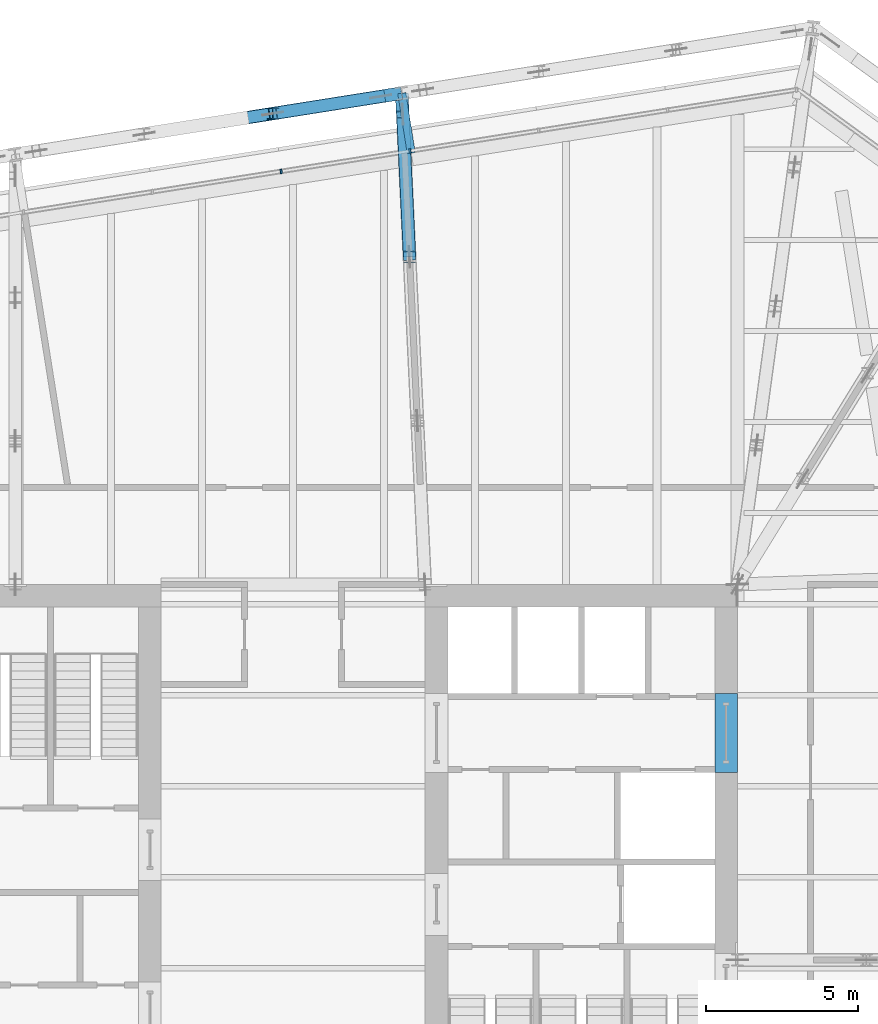
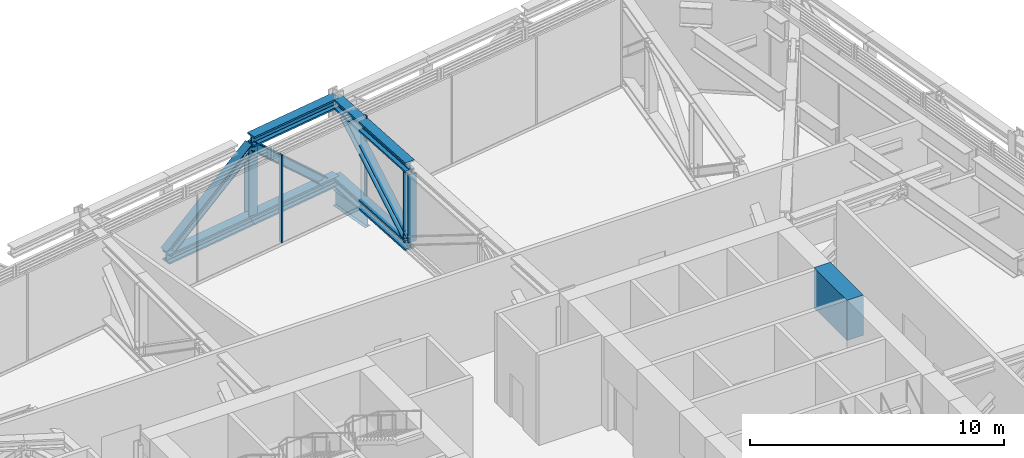
# One storey, part 15 of 31: 7 beams, 7 members, 1 element without a shape of its own.
"""IFC4 building model written with IfcOpenShell, lengths in metres."""

from ifc_helpers import new_model, si_unit, direction, frame, origin, origin_2d, place, context, subcontext, project, spatial, rectangle, i_section, extrude, material, layer, layer_set, material_profile, profile_set, type_object, element, aggregate, save


model = new_model("IFC4")

# Units and contexts
model_context = context("Model", 3, precision=1e-05, world=origin(), true_north=direction((0.0, 1.0)))
body_context = subcontext(model_context, "Body", "Model", "MODEL_VIEW")
ifc_project = project(units=[si_unit("LENGTHUNIT", "METRE"), si_unit("AREAUNIT", "SQUARE_METRE"), si_unit("VOLUMEUNIT", "CUBIC_METRE"), si_unit("PLANEANGLEUNIT", "RADIAN"), si_unit("MASSUNIT", "GRAM", prefix="KILO")], contexts=[model_context])

# Site, building, storey
site_placement = place(None, origin())
site = spatial("IfcSite", under=ifc_project, at=site_placement, CompositionType="ELEMENT")
building_placement = place(site_placement, origin())
building = spatial("IfcBuilding", under=site, at=building_placement, Name="Millrace Tower", CompositionType="ELEMENT")
storey_placement = place(building_placement, frame((0.0, 0.0, 195.60009765625)))
storey = spatial("IfcBuildingStorey", under=building, at=storey_placement, Name="L44", CompositionType="ELEMENT", Elevation=195.60009765625)

# Beams
ifc_material_1 = material(Name="Steel ASTM A992 Grade 50", Category="steel")
ifc_material_profile_1 = material_profile(ifc_material_1, i_section(OverallWidth=0.4267578125, OverallDepth=0.482666015625, WebThickness=0.05126953125, FlangeThickness=0.08154296875, FilletRadius=0.01513671875, at=origin_2d()))
ifc_profile_set_1 = profile_set([ifc_material_profile_1], Name="Steel ASTM A992 Grade 50")
beam_type_1 = type_object("IfcBeamType", Name="Belt truss chord W14x455", PredefinedType="BEAM", material=ifc_profile_set_1)
for number, where, z_axis, x_axis, name in (
    (1, (3.58154296875, 25.844970703125, 0.2412109375), (-0.987690583834, -0.15642030113, 0.0), (0.15642030113, -0.987690583834, 0.0), "BLT-L44-R11-B01"),
    (2, (-0.66552734375, 25.17236328125, 0.2412109375), (-0.987690583834, -0.15642030113, 0.0), (0.15642030113, -0.987690583834, 0.0), "BLT-L44-R11-B02"),
):
    element("IfcBeam", number, at=place(storey_placement, frame(where, z_axis=z_axis, x_axis=x_axis)), inside=storey, type_object=beam_type_1, Name=name, PredefinedType="BEAM", context=body_context, shape_type="SweptSolid", body=[
        extrude(i_section(OverallWidth=0.4267578125, OverallDepth=0.482666015625, WebThickness=0.05126953125, FlangeThickness=0.08154296875, FilletRadius=0.01513671875, at=origin_2d()), origin(), (0.0, 0.0, 1.0), 4.300048828125),
    ])
beam_1_placement = place(storey_placement, frame((3.571533203125, 25.843505859375, 3.99853515625), z_axis=(-0.98768624739, -0.156447680442, 0.0), x_axis=(0.156447680442, -0.98768624739, 0.0)))
element("IfcBeam", 3, at=beam_1_placement, inside=storey, type_object=beam_type_1, Name="BLT-L44-R11-T01", PredefinedType="BEAM", context=body_context, shape_type="SweptSolid", body=[
    extrude(i_section(OverallWidth=0.4267578125, OverallDepth=0.482666015625, WebThickness=0.05126953125, FlangeThickness=0.08154296875, FilletRadius=0.01513671875, at=origin_2d()), origin(), (0.0, 0.0, 1.0), 4.289794921875),
])

# Members
ifc_material_2 = material(Name="Steel ASTM A992 Grade 50", Category="steel")
ifc_material_profile_2 = material_profile(ifc_material_2, i_section(OverallWidth=0.398681640625, OverallDepth=0.393798828125, WebThickness=0.022705078125, FlangeThickness=0.03662109375, FilletRadius=0.01513671875, at=origin_2d()))
ifc_profile_set_2 = profile_set([ifc_material_profile_2], Name="Steel ASTM A992 Grade 50")
member_type_1 = type_object("IfcMemberType", Name="Belt truss diagonal W14x193", PredefinedType="BRACE", material=ifc_profile_set_2)
member_1_placement = place(storey_placement, frame((2.89013671875, 25.735595703125, 0.482421875), z_axis=(-0.730607904471, -0.115731422385, 0.672917771943), x_axis=(0.156453585206, -0.987685312069, 0.0)))
element("IfcMember", 4, at=member_1_placement, inside=storey, type_object=member_type_1, Name="BLT-L44-R11-D01", PredefinedType="BRACE", context=body_context, shape_type="SweptSolid", body=[
    extrude(i_section(OverallWidth=0.398681640625, OverallDepth=0.393798828125, WebThickness=0.022705078125, FlangeThickness=0.03662109375, FilletRadius=0.01513671875, at=origin_2d()), origin(), (0.0, 0.0, 1.0), 4.86669921875),
])
member_2_placement = place(storey_placement, frame((-4.91259765625, 24.499755859375, 0.482421875), z_axis=(0.78575393137, 0.124439645949, 0.605892345102), x_axis=(-0.15642030113, 0.987690583834, 0.0)))
element("IfcMember", 5, at=member_2_placement, inside=storey, type_object=member_type_1, Name="BLT-L44-R11-D02", PredefinedType="BRACE", context=body_context, shape_type="SweptSolid", body=[
    extrude(i_section(OverallWidth=0.398681640625, OverallDepth=0.393798828125, WebThickness=0.022705078125, FlangeThickness=0.03662109375, FilletRadius=0.01513671875, at=origin_2d()), origin(), (0.0, 0.0, 1.0), 5.405029296875),
])
ifc_material_3 = material(Name="Steel ASTM A992 Grade 50", Category="steel")
ifc_material_profile_3 = material_profile(ifc_material_3, i_section(OverallWidth=0.396240234375, OverallDepth=0.381103515625, WebThickness=0.018798828125, FlangeThickness=0.0302734375, FilletRadius=0.01513671875, at=origin_2d()))
ifc_profile_set_3 = profile_set([ifc_material_profile_3], Name="Steel ASTM A992 Grade 50")
member_type_2 = type_object("IfcMemberType", Name="Belt truss post W14x159", PredefinedType="POST", material=ifc_profile_set_3)
member_3_placement = place(storey_placement, frame((-0.66552734375, 25.17236328125, 0.482421875), z_axis=(0.0, 0.0, 1.0), x_axis=(1.0, 0.0, 0.0)))
element("IfcMember", 6, at=member_3_placement, inside=storey, type_object=member_type_2, Name="BLT-L44-R11-V01", PredefinedType="POST", context=body_context, shape_type="SweptSolid", body=[
    extrude(i_section(OverallWidth=0.396240234375, OverallDepth=0.381103515625, WebThickness=0.018798828125, FlangeThickness=0.0302734375, FilletRadius=0.01513671875, at=origin_2d()), origin(), (0.0, 0.0, 1.0), 3.27490234375),
])

# Curtain wall, members
ifc_material_4 = material(Name="Aluminium and glass", Category="aluminium")
ifc_layer = layer(ifc_material_4, 0.14990234375)
ifc_layer_set = layer_set([ifc_layer], Name="Aluminium and glass")
curtain_wall_type = type_object("IfcCurtainWallType", Name="CW-5 truss and plant storey louvred infill", PredefinedType="NOTDEFINED", material=ifc_layer_set)
curtain_wall_placement = place(storey_placement, origin())
curtain_wall = element("IfcCurtainWall", 7, at=curtain_wall_placement, inside=storey, type_object=curtain_wall_type, Name="Curtain wall C-F06 L44", PredefinedType="NOTDEFINED")
ifc_material_5 = material(Name="Aluminium", Category="aluminium")
ifc_material_profile_4 = material_profile(ifc_material_5, rectangle(XDim=0.06494140625, YDim=0.14990234375, at=origin_2d()))
ifc_profile_set_4 = profile_set([ifc_material_profile_4], Name="Aluminium")
member_type_3 = type_object("IfcMemberType", Name="CW-5 truss and plant storey louvred infill mullion", PredefinedType="MULLION", material=ifc_profile_set_4)
member_4_placement = place(storey_placement, frame((3.8505859375, 23.938720703125, 0.139892578125), z_axis=(0.0, 0.0, 1.0), x_axis=(-0.98768833929, -0.15643447328, 0.0)))
member_4 = element("IfcMember", 8, at=member_4_placement, type_object=member_type_3, Name="CW5 mullion C-F06.4", PredefinedType="MULLION", context=body_context, shape_type="SweptSolid", body=[
    extrude(rectangle(XDim=0.06494140625, YDim=0.14990234375, at=origin_2d()), origin(), (0.0, 0.0, 1.0), 4.199951171875),
])
member_5_placement = place(storey_placement, frame((-0.396484375, 23.26611328125, 0.139892578125), z_axis=(0.0, 0.0, 1.0), x_axis=(-0.98768833929, -0.15643447328, 0.0)))
member_5 = element("IfcMember", 9, at=member_5_placement, type_object=member_type_3, Name="CW5 mullion C-F06.5", PredefinedType="MULLION", context=body_context, shape_type="SweptSolid", body=[
    extrude(rectangle(XDim=0.06494140625, YDim=0.14990234375, at=origin_2d()), origin(), (0.0, 0.0, 1.0), 4.199951171875),
])
aggregate(curtain_wall, [member_4, member_5])

# Beams
ifc_material_6 = material(Name="Concrete C70", Category="concrete")
ifc_material_profile_5 = material_profile(ifc_material_6, rectangle(XDim=0.75, YDim=1.93994140625, at=origin_2d()))
ifc_profile_set_5 = profile_set([ifc_material_profile_5], Name="Concrete C70")
beam_type_2 = type_object("IfcBeamType", Name="Coupling beam 750 x 1940 Concrete C70, 2000 opening", PredefinedType="BEAM", material=ifc_profile_set_5)
beam_2_placement = place(storey_placement, frame((14.27490234375, 6.050048828125, 3.369873046875), z_axis=(0.0, -1.0, 0.0), x_axis=(1.0, 0.0, 0.0)))
element("IfcBeam", 10, at=beam_2_placement, inside=storey, type_object=beam_type_2, Name="Coupling beam E L44", PredefinedType="BEAM", context=body_context, shape_type="SweptSolid", body=[
    extrude(rectangle(XDim=0.75, YDim=1.93994140625, at=origin_2d()), origin(), (0.0, 0.0, 1.0), 2.60009765625),
])
ifc_material_7 = material(Name="Steel ASTM A992 Grade 50", Category="steel")
ifc_material_profile_6 = material_profile(ifc_material_7, i_section(OverallWidth=0.2666015625, OverallDepth=0.7568359375, WebThickness=0.013916015625, FlangeThickness=0.019287109375, FilletRadius=0.0166015625, at=origin_2d()))
ifc_profile_set_6 = profile_set([ifc_material_profile_6], Name="Steel ASTM A992 Grade 50")
beam_type_3 = type_object("IfcBeamType", Name="Link beam W30x108", PredefinedType="BEAM", material=ifc_profile_set_6)
beam_3_placement = place(storey_placement, frame((3.894287109375, 23.86962890625, -0.628662109375), z_axis=(-0.15637629034, 0.987697552806, 0.0), x_axis=(-0.987697552806, -0.15637629034, 0.0)))
element("IfcBeam", 11, at=beam_3_placement, inside=storey, type_object=beam_type_3, Name="LNK-C-L44-S1-07", PredefinedType="BEAM", context=body_context, shape_type="SweptSolid", body=[
    extrude(i_section(OverallWidth=0.2666015625, OverallDepth=0.7568359375, WebThickness=0.013916015625, FlangeThickness=0.019287109375, FilletRadius=0.0166015625, at=origin_2d()), origin(), (0.0, 0.0, 1.0), 2.0),
])
ifc_material_8 = material(Name="Steel ASTM A992 Grade 50", Category="steel")
ifc_material_profile_7 = material_profile(ifc_material_8, i_section(OverallWidth=0.4267578125, OverallDepth=0.482666015625, WebThickness=0.05126953125, FlangeThickness=0.08154296875, FilletRadius=0.01513671875, at=origin_2d()))
ifc_profile_set_7 = profile_set([ifc_material_profile_7], Name="Steel ASTM A992 Grade 50")
beam_type_4 = type_object("IfcBeamType", Name="Outrigger truss chord W14x455", PredefinedType="BEAM", material=ifc_profile_set_7)
for number, where, z_axis, x_axis, name in (
    (12, (3.837646484375, 20.44677734375, 0.2412109375), (-0.04738914802, 0.998876503202, 0.0), (-0.998876503202, -0.04738914802, 0.0), "BLT-L44-O11-B03"),
    (13, (3.837646484375, 20.44677734375, 3.99853515625), (-0.04738914802, 0.998876503202, 0.0), (-0.998876503202, -0.04738914802, 0.0), "BLT-L44-O11-T03"),
):
    element("IfcBeam", number, at=place(storey_placement, frame(where, z_axis=z_axis, x_axis=x_axis)), inside=storey, type_object=beam_type_4, Name=name, PredefinedType="BEAM", context=body_context, shape_type="SweptSolid", body=[
        extrude(i_section(OverallWidth=0.4267578125, OverallDepth=0.482666015625, WebThickness=0.05126953125, FlangeThickness=0.08154296875, FilletRadius=0.01513671875, at=origin_2d()), origin(), (0.0, 0.0, 1.0), 5.404296875),
    ])

# Members
ifc_material_9 = material(Name="Steel ASTM A992 Grade 50", Category="steel")
ifc_material_profile_8 = material_profile(ifc_material_9, i_section(OverallWidth=0.398681640625, OverallDepth=0.393798828125, WebThickness=0.022705078125, FlangeThickness=0.03662109375, FilletRadius=0.01513671875, at=origin_2d()))
ifc_profile_set_8 = profile_set([ifc_material_profile_8], Name="Steel ASTM A992 Grade 50")
member_type_4 = type_object("IfcMemberType", Name="Outrigger truss diagonal W14x193", PredefinedType="BRACE", material=ifc_profile_set_8)
member_6_placement = place(storey_placement, frame((3.837646484375, 20.44677734375, 0.482421875), z_axis=(-0.03888748711, 0.819789117639, 0.571343649608), x_axis=(-0.99887680983, -0.047382684438, 0.0)))
element("IfcMember", 14, at=member_6_placement, inside=storey, type_object=member_type_4, Name="BLT-L44-O11-D03", PredefinedType="BRACE", context=body_context, shape_type="SweptSolid", body=[
    extrude(i_section(OverallWidth=0.398681640625, OverallDepth=0.393798828125, WebThickness=0.022705078125, FlangeThickness=0.03662109375, FilletRadius=0.01513671875, at=origin_2d()), origin(), (0.0, 0.0, 1.0), 5.73193359375),
])
ifc_material_10 = material(Name="Steel ASTM A992 Grade 50", Category="steel")
ifc_material_profile_9 = material_profile(ifc_material_10, i_section(OverallWidth=0.396240234375, OverallDepth=0.381103515625, WebThickness=0.018798828125, FlangeThickness=0.0302734375, FilletRadius=0.01513671875, at=origin_2d()))
ifc_profile_set_9 = profile_set([ifc_material_profile_9], Name="Steel ASTM A992 Grade 50")
member_type_5 = type_object("IfcMemberType", Name="Outrigger truss post W14x159", PredefinedType="POST", material=ifc_profile_set_9)
member_7_placement = place(storey_placement, frame((3.837646484375, 20.44677734375, 0.482421875), z_axis=(0.0, 0.0, 1.0), x_axis=(1.0, 0.0, 0.0)))
element("IfcMember", 15, at=member_7_placement, inside=storey, type_object=member_type_5, Name="BLT-L44-O11-V02", PredefinedType="POST", context=body_context, shape_type="SweptSolid", body=[
    extrude(i_section(OverallWidth=0.396240234375, OverallDepth=0.381103515625, WebThickness=0.018798828125, FlangeThickness=0.0302734375, FilletRadius=0.01513671875, at=origin_2d()), origin(), (0.0, 0.0, 1.0), 3.27490234375),
])

save(model, "model.ifc")
